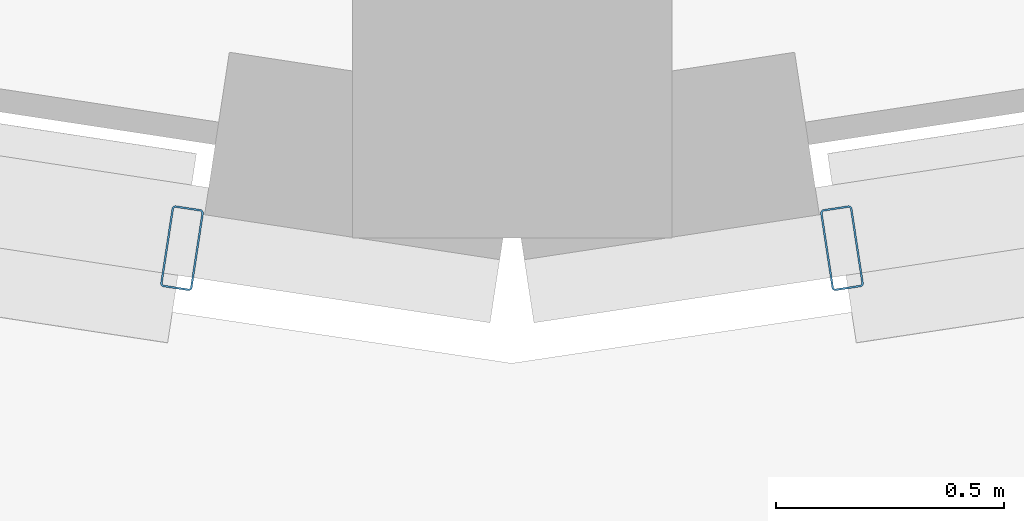
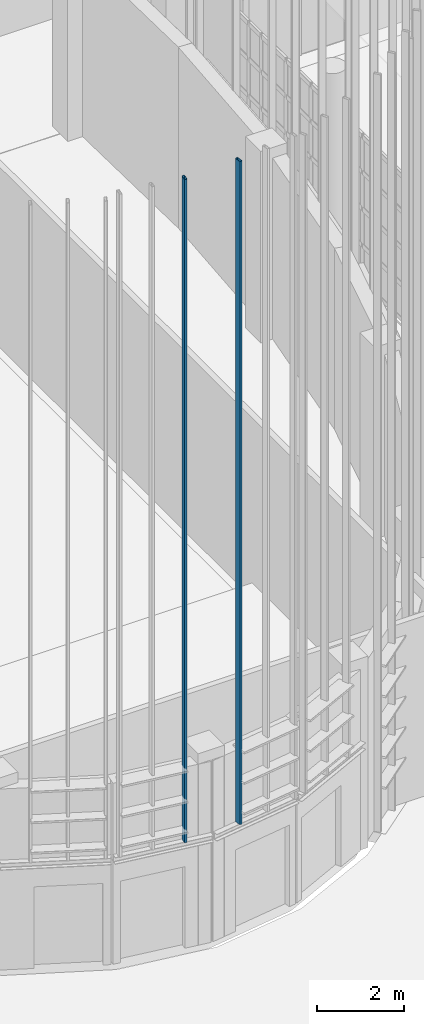
# One storey, part 142 of 372: 2 members.
"""IFC4 building model written with IfcOpenShell, lengths in metres."""

import ifcopenshell
import ifcopenshell.guid

model = None  # the IFC model being written
_history = None  # IfcOwnerHistory: only IFC2X3 demands one
_inside = {}  # id of a spatial element -> (the spatial element, [elements in it])
_under = {}  # id of a project, library or spatial element -> (it, [spatial elements below it])
_declared = {}  # id of a project -> (the project, [libraries it declares])
_typed = {}  # id of a type object -> (the type object, [elements of that type])
_made_of = {}  # id of a material, layer set ... -> (it, [elements and type objects made of it])


def new_model(schema):
    """Start an empty IFC model of exactly this schema.

    Asked for "IFC4X3", IfcOpenShell would pick the latest addendum, in which some entities
    have other attributes; the version numbers below select the first issue.
    IFC2X3 requires an IfcOwnerHistory on every rooted entity: one is made here for all.
    """
    global model, _history
    if schema == "IFC4X3":
        model = ifcopenshell.file(schema_version=(4, 3, 0, 0))
    else:
        model = ifcopenshell.file(schema=schema)
    _inside.clear()
    _under.clear()
    _declared.clear()
    _typed.clear()
    _made_of.clear()
    _history = None
    if model.schema == "IFC2X3":
        org = make("IfcOrganization", Name="unknown")
        user = make(
            "IfcPersonAndOrganization",
            ThePerson=make("IfcPerson", FamilyName="unknown"),
            TheOrganization=org,
        )
        app = make(
            "IfcApplication",
            ApplicationDeveloper=org,
            Version="unknown",
            ApplicationFullName="unknown",
            ApplicationIdentifier="unknown",
        )
        _history = make(
            "IfcOwnerHistory",
            OwningUser=user,
            OwningApplication=app,
            ChangeAction="ADDED",
            CreationDate=0,
        )
    return model


def make(cls, **values):
    """One entity of the class cls with the attributes given. An attribute that is None is left unset."""
    return model.create_entity(
        cls, **{name: value for name, value in values.items() if value is not None}
    )


def rooted(cls, **values):
    """An entity with a GlobalId (a new one), such as an element, a storey or a relation."""
    return make(cls, GlobalId=ifcopenshell.guid.new(), OwnerHistory=_history, **values)


def si_unit(unit_type, name, prefix=None):
    """IfcSIUnit, for example si_unit("LENGTHUNIT", "METRE", prefix="MILLI")."""
    return make("IfcSIUnit", UnitType=unit_type, Prefix=prefix, Name=name)


def assignment(units):
    """IfcUnitAssignment: the units of a project."""
    return None if units is None else make("IfcUnitAssignment", Units=units)


def point(xyz):
    """IfcCartesianPoint."""
    return None if xyz is None else make("IfcCartesianPoint", Coordinates=xyz)


def direction(xyz):
    """IfcDirection."""
    return None if xyz is None else make("IfcDirection", DirectionRatios=xyz)


def frame(location, z_axis=None, x_axis=None):
    """IfcAxis2Placement3D, a coordinate frame: its origin and axes. An axis left out is left unset."""
    return make(
        "IfcAxis2Placement3D",
        Location=point(location),
        Axis=direction(z_axis),
        RefDirection=direction(x_axis),
    )


def frame_2d(location, x_axis=None):
    """IfcAxis2Placement2D, a coordinate frame in the plane: its origin and x axis."""
    return make(
        "IfcAxis2Placement2D", Location=point(location), RefDirection=direction(x_axis)
    )


def origin():
    """The frame at (0, 0, 0) with its axes left unset."""
    return frame((0.0, 0.0, 0.0))


def origin_2d():
    """The frame at (0, 0) in the plane with its x axis left unset."""
    return frame_2d((0.0, 0.0))


def place(relative_to, where):
    """IfcLocalPlacement: puts the frame where relative to a parent placement (None: the world)."""
    return make(
        "IfcLocalPlacement", PlacementRelTo=relative_to, RelativePlacement=where
    )


def context(
    kind, dimensions, precision=None, world=None, true_north=None, identifier=None
):
    """IfcGeometricRepresentationContext, for example the 3D "Model" context."""
    return make(
        "IfcGeometricRepresentationContext",
        ContextIdentifier=identifier,
        ContextType=kind,
        CoordinateSpaceDimension=dimensions,
        Precision=precision,
        WorldCoordinateSystem=world,
        TrueNorth=true_north,
    )


def subcontext(parent, identifier, kind, view, scale=None):
    """IfcGeometricRepresentationSubContext, for example "Body" below "Model"."""
    return make(
        "IfcGeometricRepresentationSubContext",
        ContextIdentifier=identifier,
        ContextType=kind,
        ParentContext=parent,
        TargetScale=scale,
        TargetView=view,
    )


def project(units=None, contexts=None):
    """IfcProject with its units and contexts."""
    return rooted(
        "IfcProject",
        Name="project",
        RepresentationContexts=contexts,
        UnitsInContext=assignment(units),
    )


def spatial(cls, under=None, at=None, **own):
    """A site, building, storey or space (cls), placed at a placement, below another one or the project."""
    s = rooted(cls, ObjectPlacement=at, **own)
    if under is not None:
        _under.setdefault(under.id(), (under, []))[1].append(s)
    return s


def profile(cls, at=None, kind="AREA", **sizes):
    """A parametric profile (cls). Its sizes go by their IFC names, for example OverallWidth=200.0."""
    return make(cls, ProfileType=kind, Position=at, **sizes)


def hollow_rectangle(**sizes):
    """IfcRectangleHollowProfileDef."""
    return profile("IfcRectangleHollowProfileDef", **sizes)


def extrude(swept, where, along, depth):
    """IfcExtrudedAreaSolid: the profile swept, set in the frame where, extruded along a direction by depth."""
    return make(
        "IfcExtrudedAreaSolid",
        SweptArea=swept,
        Position=where,
        ExtrudedDirection=direction(along),
        Depth=depth,
    )


def shape(context_of_items, identifier, shape_type, items):
    """IfcShapeRepresentation: the items that make up one representation, for example the "Body"."""
    return make(
        "IfcShapeRepresentation",
        ContextOfItems=context_of_items,
        RepresentationIdentifier=identifier,
        RepresentationType=shape_type,
        Items=items,
    )


def material(Name=None, Category=None):
    """IfcMaterial."""
    return make("IfcMaterial", Name=Name, Category=Category)


def material_profile(
    of_material, cross_section, Name=None, Category=None, Priority=None
):
    """IfcMaterialProfile: a cross section and its material."""
    return make(
        "IfcMaterialProfile",
        Name=Name,
        Material=of_material,
        Profile=cross_section,
        Priority=Priority,
        Category=Category,
    )


def profile_set(profiles, Name=None, composite=None):
    """IfcMaterialProfileSet."""
    return make(
        "IfcMaterialProfileSet",
        Name=Name,
        MaterialProfiles=profiles,
        CompositeProfile=composite,
    )


def made_of(thing, what):
    """Note that an element or type object is made of a material, layer set ...; save() writes the relation."""
    if what is not None:
        _made_of.setdefault(what.id(), (what, []))[1].append(thing)
    return thing


def type_object(cls, material=None, **own):
    """A type object (cls), such as IfcWallType, which elements share."""
    return made_of(rooted(cls, **own), material)


def element(
    cls,
    number,
    at=None,
    inside=None,
    cuts=None,
    type_object=None,
    material=None,
    context=None,
    identifier="Body",
    shape_type=None,
    held_by="IfcProductDefinitionShape",
    body=None,
    shapes=None,
    **own,
):
    """One element of the class cls, such as IfcWall. Its Tag is "e" and its number.

    at: its placement. inside: the storey or other place that contains it. cuts: it is an
    opening in that element (IfcRelVoidsElement). A single representation is given by context,
    identifier, shape_type and body (its items); several are given by shapes. held_by: the class
    of the entity that holds the representations. save() writes the other relations.
    """
    e = rooted(cls, Tag="e%d" % number, ObjectPlacement=at, **own)
    if body is not None:
        shapes = [shape(context, identifier, shape_type, body)]
    if shapes is not None:
        e.Representation = make(held_by, Representations=shapes)
    if inside is not None:
        _inside.setdefault(inside.id(), (inside, []))[1].append(e)
    if cuts is not None:
        rooted(
            "IfcRelVoidsElement", RelatingBuildingElement=cuts, RelatedOpeningElement=e
        )
    if type_object is not None:
        _typed.setdefault(type_object.id(), (type_object, []))[1].append(e)
    return made_of(e, material)


def aggregate(whole, parts):
    """IfcRelAggregates: a whole, such as a stair, and the parts it consists of."""
    return rooted("IfcRelAggregates", RelatingObject=whole, RelatedObjects=parts)


def save(model, path):
    """Write the relations noted so far, then the file.

    IfcRelAggregates (storeys below a building ...), IfcRelContainedInSpatialStructure (elements
    in a storey), IfcRelDefinesByType, IfcRelAssociatesMaterial and IfcRelDeclares: one each for
    every whole, place, type object, material and project.
    """
    for whole, parts in _under.values():
        aggregate(whole, parts)
    for where, things in _inside.values():
        rooted(
            "IfcRelContainedInSpatialStructure",
            RelatedElements=things,
            RelatingStructure=where,
        )
    for kind, things in _typed.values():
        rooted("IfcRelDefinesByType", RelatedObjects=things, RelatingType=kind)
    for what, things in _made_of.values():
        rooted("IfcRelAssociatesMaterial", RelatedObjects=things, RelatingMaterial=what)
    for by, libraries in _declared.values():
        rooted("IfcRelDeclares", RelatingContext=by, RelatedDefinitions=libraries)
    model.write(path)


model = new_model("IFC4")

# Units and contexts
model_context = context("Model", 3, precision=1e-05, world=origin(), true_north=direction((0.0, 1.0)))
body_context = subcontext(model_context, "Body", "Model", "MODEL_VIEW")
ifc_project = project(units=[si_unit("LENGTHUNIT", "METRE"), si_unit("AREAUNIT", "SQUARE_METRE"), si_unit("VOLUMEUNIT", "CUBIC_METRE"), si_unit("PLANEANGLEUNIT", "RADIAN"), si_unit("MASSUNIT", "GRAM", prefix="KILO")], contexts=[model_context])

# Site, building, storey
site_placement = place(None, origin())
site = spatial("IfcSite", under=ifc_project, at=site_placement, CompositionType="ELEMENT")
building_placement = place(site_placement, origin())
building = spatial("IfcBuilding", under=site, at=building_placement, Name="Kaelora Sail Theatre", CompositionType="ELEMENT")
storey_placement = place(building_placement, origin())
storey = spatial("IfcBuildingStorey", under=building, at=storey_placement, Name="L00", CompositionType="ELEMENT", Elevation=0.0)

# Members
ifc_material = material(Name="Anodised aluminium 6063-T6", Category="aluminium")
ifc_material_profile = material_profile(ifc_material, hollow_rectangle(XDim=0.070068359375, YDim=0.179931640625, WallThickness=0.00390625, InnerFilletRadius=0.00390625, OuterFilletRadius=0.008056640625, at=origin_2d()), Name="ALU-MULL 70x180x4")
ifc_profile_set = profile_set([ifc_material_profile], Name="Anodised aluminium 6063-T6")
member_type = type_object("IfcMemberType", Name="ARC-MEM-PST-160", PredefinedType="POST", material=ifc_profile_set)
for number, where, z_axis, x_axis, name in (
    (1, (91.322998046875, 31.107177734375, 3.10009765625), (0.0, 0.0, 1.0), (-0.988599245884, -0.150570684524, 0.0), "Studio Theatre Sail Drum solar louvre vertical support post C10-3"),
    (2, (89.876953125, 31.107177734375, 3.10009765625), (0.0, 0.0, 1.0), (-0.988599245884, 0.150570684524, 0.0), "Studio Theatre Sail Drum solar louvre vertical support post C11-1"),
):
    element("IfcMember", number, at=place(storey_placement, frame(where, z_axis=z_axis, x_axis=x_axis)), inside=storey, type_object=member_type, Name=name, PredefinedType="POST", context=body_context, shape_type="SweptSolid", body=[
        extrude(hollow_rectangle(XDim=0.070068359375, YDim=0.179931640625, WallThickness=0.00390625, InnerFilletRadius=0.00390625, OuterFilletRadius=0.008056640625, at=origin_2d()), origin(), (0.0, 0.0, 1.0), 18.702392578125),
    ])

save(model, "model.ifc")
